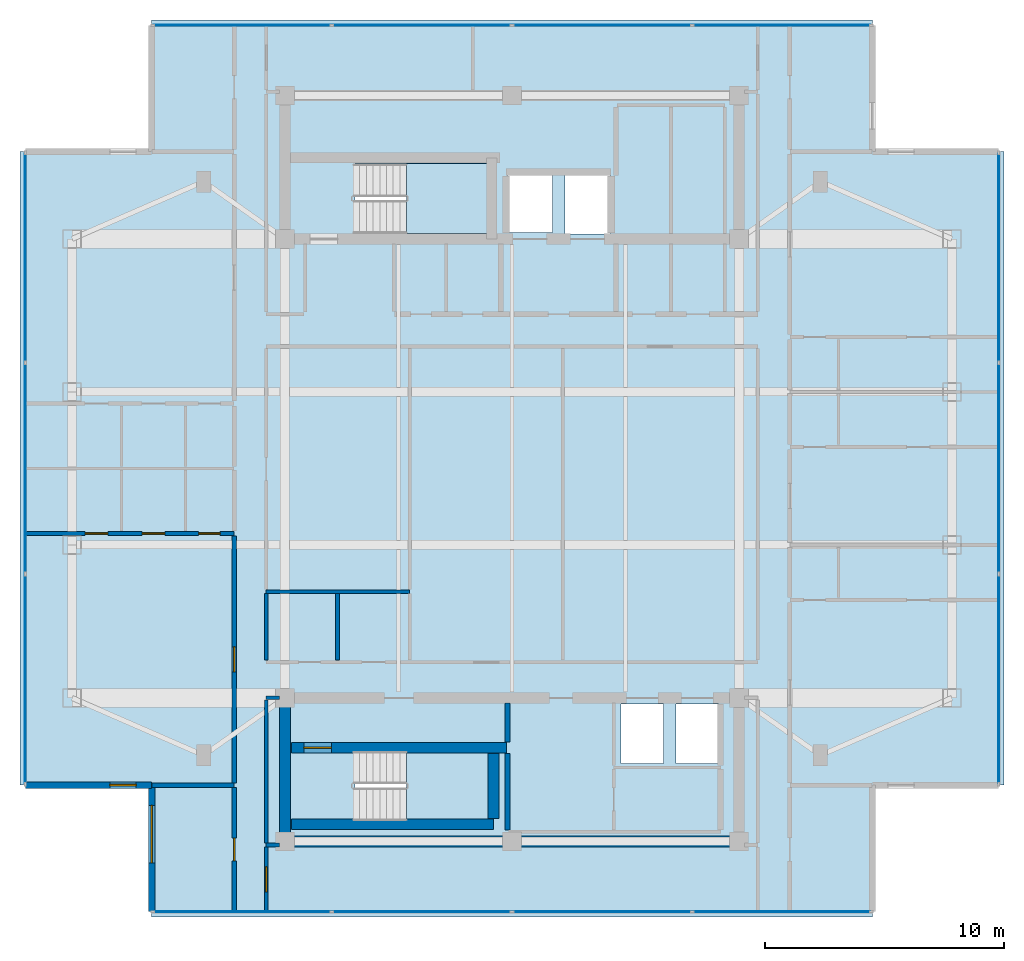
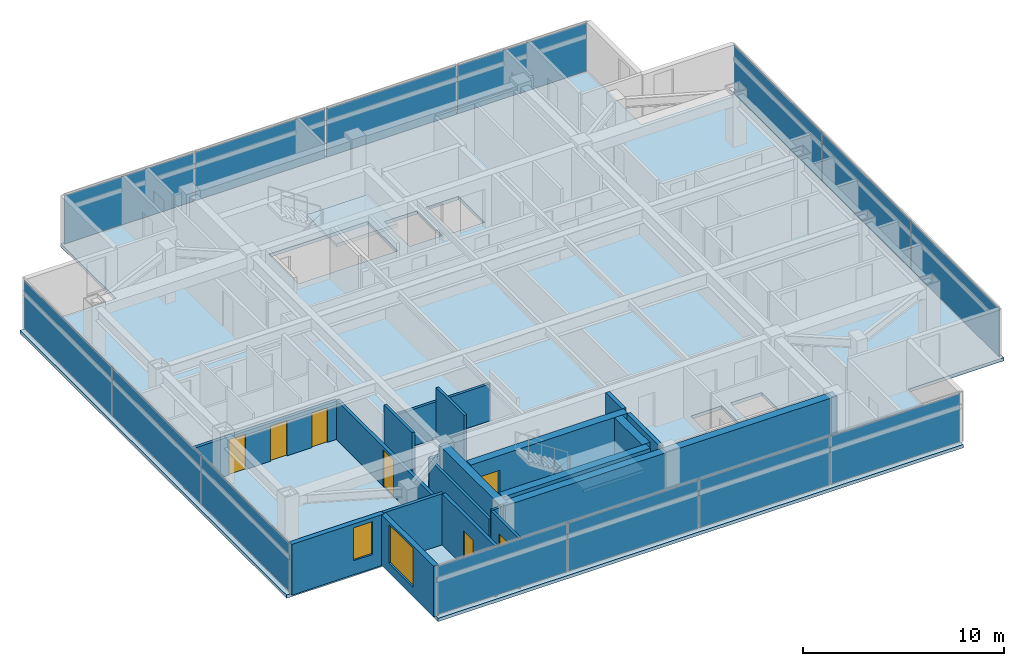
# One storey, part 6 of 12: 20 walls, 14 plates, 7 doors, 3 slabs, 2 windows, 9 openings, 6 elements without a shape of their own.
"""IFC4 building model written with IfcOpenShell, lengths in metres."""

from ifc_helpers import new_model, si_unit, direction, frame, frame_2d, origin, origin_2d, place, context, subcontext, project, spatial, polyline, rectangle, outline, extrude, material, layer, layer_set, type_object, element, fill, aggregate, save


model = new_model("IFC4")

# Units and contexts
model_context = context("Model", 3, precision=1e-05, world=origin(), true_north=direction((0.0, 1.0)))
body_context = subcontext(model_context, "Body", "Model", "MODEL_VIEW")
ifc_project = project(units=[si_unit("LENGTHUNIT", "METRE"), si_unit("AREAUNIT", "SQUARE_METRE"), si_unit("VOLUMEUNIT", "CUBIC_METRE"), si_unit("PLANEANGLEUNIT", "RADIAN"), si_unit("MASSUNIT", "GRAM", prefix="KILO")], contexts=[model_context])

# Site, building, storey
site_placement = place(None, origin())
site = spatial("IfcSite", under=ifc_project, at=site_placement, CompositionType="ELEMENT")
building_placement = place(site_placement, origin())
building = spatial("IfcBuilding", under=site, at=building_placement, Name="Mirazonda Arch Towers", CompositionType="ELEMENT")
storey_placement = place(building_placement, frame((0.0, 0.0, 222.699951171875)))
storey = spatial("IfcBuildingStorey", under=building, at=storey_placement, Name="L63", CompositionType="ELEMENT", Elevation=222.699951171875)

# Curtain wall, plates
ifc_material_1 = material(Name="Anodised Aluminium and Low-E Glass", Category="aluminium")
curtain_wall_type = type_object("IfcCurtainWallType", Name="CW-RES-UNIT", PredefinedType="NOTDEFINED", material=ifc_material_1)
curtain_wall_1_placement = place(storey_placement, origin())
curtain_wall_1 = element("IfcCurtainWall", 1, at=curtain_wall_1_placement, inside=storey, type_object=curtain_wall_type, Name="L63 T1 S Facade CW-L63-T1-S", PredefinedType="NOTDEFINED")
ifc_material_2 = material(Name="Insulated Low-E Solar Glass", Category="glass")
ifc_layer_1 = layer(ifc_material_2, 0.0400390625, Name="PAN-CW-RES-UNIT")
ifc_layer_set_1 = layer_set([ifc_layer_1], Name="Insulated Low-E Solar Glass")
plate_type = type_object("IfcPlateType", Name="PAN-CW-RES-UNIT", PredefinedType="CURTAIN_PANEL", material=ifc_layer_set_1)
plate_1_placement = place(storey_placement, frame((31.78369140625, 9.4619140625, 0.0751953125), z_axis=(0.0, 0.0, 1.0), x_axis=(-1.0, 0.0, 0.0)))
plate_1 = element("IfcPlate", 2, at=plate_1_placement, type_object=plate_type, Name="CW-104 panel 1.1", PredefinedType="CURTAIN_PANEL", context=body_context, shape_type="SweptSolid", body=[
    extrude(rectangle(XDim=7.422607421875, YDim=0.0400390625, at=origin_2d()), origin(), (0.0, 0.0, 1.0), 2.929931640625),
])
plate_2_placement = place(storey_placement, frame((24.267578125, 9.4619140625, 0.0751953125), z_axis=(0.0, 0.0, 1.0), x_axis=(-1.0, 0.0, 0.0)))
plate_2 = element("IfcPlate", 3, at=plate_2_placement, type_object=plate_type, Name="CW-104 panel 2.1", PredefinedType="CURTAIN_PANEL", context=body_context, shape_type="SweptSolid", body=[
    extrude(rectangle(XDim=7.4599609375, YDim=0.0400390625, at=origin_2d()), origin(), (0.0, 0.0, 1.0), 2.929931640625),
])
plate_3_placement = place(storey_placement, frame((16.732421875, 9.4619140625, 0.0751953125), z_axis=(0.0, 0.0, 1.0), x_axis=(-1.0, 0.0, 0.0)))
plate_3 = element("IfcPlate", 4, at=plate_3_placement, type_object=plate_type, Name="CW-104 panel 3.1", PredefinedType="CURTAIN_PANEL", context=body_context, shape_type="SweptSolid", body=[
    extrude(rectangle(XDim=7.4599609375, YDim=0.0400390625, at=origin_2d()), origin(), (0.0, 0.0, 1.0), 2.929931640625),
])
plate_4_placement = place(storey_placement, frame((9.21630859375, 9.4619140625, 0.0751953125), z_axis=(0.0, 0.0, 1.0), x_axis=(-1.0, 0.0, 0.0)))
plate_4 = element("IfcPlate", 5, at=plate_4_placement, type_object=plate_type, Name="CW-104 panel 4.1", PredefinedType="CURTAIN_PANEL", context=body_context, shape_type="SweptSolid", body=[
    extrude(rectangle(XDim=7.422607421875, YDim=0.0400390625, at=origin_2d()), origin(), (0.0, 0.0, 1.0), 2.929931640625),
])
aggregate(curtain_wall_1, [plate_1, plate_2, plate_3, plate_4])

curtain_wall_2_placement = place(storey_placement, origin())
curtain_wall_2 = element("IfcCurtainWall", 6, at=curtain_wall_2_placement, inside=storey, type_object=curtain_wall_type, Name="L63 T1 E Facade CW-L63-T1-E", PredefinedType="NOTDEFINED")
plate_5_placement = place(storey_placement, frame((40.860107421875, 19.186767578125, 0.0751953125), z_axis=(0.0, 0.0, 1.0), x_axis=(0.0, 1.0, 0.0)))
plate_5 = element("IfcPlate", 7, at=plate_5_placement, type_object=plate_type, Name="CW-104 panel 1.1", PredefinedType="CURTAIN_PANEL", context=body_context, shape_type="SweptSolid", body=[
    extrude(rectangle(XDim=8.719482421875, YDim=0.0400390625, at=origin_2d()), origin(), (0.0, 0.0, 1.0), 2.929931640625),
])
plate_6_placement = place(storey_placement, frame((40.860107421875, 28.0, 0.0751953125), z_axis=(0.0, 0.0, 1.0), x_axis=(0.0, 1.0, 0.0)))
plate_6 = element("IfcPlate", 8, at=plate_6_placement, type_object=plate_type, Name="CW-104 panel 2.1", PredefinedType="CURTAIN_PANEL", context=body_context, shape_type="SweptSolid", body=[
    extrude(rectangle(XDim=8.757080078125, YDim=0.0400390625, at=origin_2d()), origin(), (0.0, 0.0, 1.0), 2.929931640625),
])
plate_7_placement = place(storey_placement, frame((40.860107421875, 36.813232421875, 0.0751953125), z_axis=(0.0, 0.0, 1.0), x_axis=(0.0, 1.0, 0.0)))
plate_7 = element("IfcPlate", 9, at=plate_7_placement, type_object=plate_type, Name="CW-104 panel 3.1", PredefinedType="CURTAIN_PANEL", context=body_context, shape_type="SweptSolid", body=[
    extrude(rectangle(XDim=8.719482421875, YDim=0.0400390625, at=origin_2d()), origin(), (0.0, 0.0, 1.0), 2.929931640625),
])
aggregate(curtain_wall_2, [plate_5, plate_6, plate_7])

curtain_wall_3_placement = place(storey_placement, origin())
curtain_wall_3 = element("IfcCurtainWall", 10, at=curtain_wall_3_placement, inside=storey, type_object=curtain_wall_type, Name="L63 T1 N Facade CW-L63-T1-N", PredefinedType="NOTDEFINED")
plate_8_placement = place(storey_placement, frame((9.21630859375, 46.5380859375, 0.0751953125), z_axis=(0.0, 0.0, 1.0), x_axis=(1.0, 0.0, 0.0)))
plate_8 = element("IfcPlate", 11, at=plate_8_placement, type_object=plate_type, Name="CW-104 panel 1.1", PredefinedType="CURTAIN_PANEL", context=body_context, shape_type="SweptSolid", body=[
    extrude(rectangle(XDim=7.422607421875, YDim=0.0400390625, at=origin_2d()), origin(), (0.0, 0.0, 1.0), 2.929931640625),
])
plate_9_placement = place(storey_placement, frame((16.732421875, 46.5380859375, 0.0751953125), z_axis=(0.0, 0.0, 1.0), x_axis=(1.0, 0.0, 0.0)))
plate_9 = element("IfcPlate", 12, at=plate_9_placement, type_object=plate_type, Name="CW-104 panel 2.1", PredefinedType="CURTAIN_PANEL", context=body_context, shape_type="SweptSolid", body=[
    extrude(rectangle(XDim=7.4599609375, YDim=0.0400390625, at=origin_2d()), origin(), (0.0, 0.0, 1.0), 2.929931640625),
])
plate_10_placement = place(storey_placement, frame((24.267578125, 46.5380859375, 0.0751953125), z_axis=(0.0, 0.0, 1.0), x_axis=(1.0, 0.0, 0.0)))
plate_10 = element("IfcPlate", 13, at=plate_10_placement, type_object=plate_type, Name="CW-104 panel 3.1", PredefinedType="CURTAIN_PANEL", context=body_context, shape_type="SweptSolid", body=[
    extrude(rectangle(XDim=7.4599609375, YDim=0.0400390625, at=origin_2d()), origin(), (0.0, 0.0, 1.0), 2.929931640625),
])
plate_11_placement = place(storey_placement, frame((31.78369140625, 46.5380859375, 0.0751953125), z_axis=(0.0, 0.0, 1.0), x_axis=(1.0, 0.0, 0.0)))
plate_11 = element("IfcPlate", 14, at=plate_11_placement, type_object=plate_type, Name="CW-104 panel 4.1", PredefinedType="CURTAIN_PANEL", context=body_context, shape_type="SweptSolid", body=[
    extrude(rectangle(XDim=7.422607421875, YDim=0.0400390625, at=origin_2d()), origin(), (0.0, 0.0, 1.0), 2.929931640625),
])
aggregate(curtain_wall_3, [plate_8, plate_9, plate_10, plate_11])

curtain_wall_4_placement = place(storey_placement, origin())
curtain_wall_4 = element("IfcCurtainWall", 15, at=curtain_wall_4_placement, inside=storey, type_object=curtain_wall_type, Name="L63 T1 W Facade CW-L63-T1-W", PredefinedType="NOTDEFINED")
plate_12_placement = place(storey_placement, frame((0.139892578125, 36.813232421875, 0.0751953125), z_axis=(0.0, 0.0, 1.0), x_axis=(0.0, -1.0, 0.0)))
plate_12 = element("IfcPlate", 16, at=plate_12_placement, type_object=plate_type, Name="CW-104 panel 1.1", PredefinedType="CURTAIN_PANEL", context=body_context, shape_type="SweptSolid", body=[
    extrude(rectangle(XDim=8.719482421875, YDim=0.0400390625, at=origin_2d()), origin(), (0.0, 0.0, 1.0), 2.929931640625),
])
plate_13_placement = place(storey_placement, frame((0.139892578125, 28.0, 0.0751953125), z_axis=(0.0, 0.0, 1.0), x_axis=(0.0, -1.0, 0.0)))
plate_13 = element("IfcPlate", 17, at=plate_13_placement, type_object=plate_type, Name="CW-104 panel 2.1", PredefinedType="CURTAIN_PANEL", context=body_context, shape_type="SweptSolid", body=[
    extrude(rectangle(XDim=8.757080078125, YDim=0.0400390625, at=origin_2d()), origin(), (0.0, 0.0, 1.0), 2.929931640625),
])
plate_14_placement = place(storey_placement, frame((0.139892578125, 19.186767578125, 0.0751953125), z_axis=(0.0, 0.0, 1.0), x_axis=(0.0, -1.0, 0.0)))
plate_14 = element("IfcPlate", 18, at=plate_14_placement, type_object=plate_type, Name="CW-104 panel 3.1", PredefinedType="CURTAIN_PANEL", context=body_context, shape_type="SweptSolid", body=[
    extrude(rectangle(XDim=8.719482421875, YDim=0.0400390625, at=origin_2d()), origin(), (0.0, 0.0, 1.0), 2.929931640625),
])
aggregate(curtain_wall_4, [plate_12, plate_13, plate_14])

# Stair, slab
ifc_material_3 = material(Name="Concrete C40/50", Category="concrete")
stair_type = type_object("IfcStairType", Name="STAIR-CORE-1400", PredefinedType="HALF_TURN_STAIR", material=ifc_material_3)
stair_1_placement = place(storey_placement, origin())
stair_1 = element("IfcStair", 19, at=stair_1_placement, inside=storey, type_object=stair_type, Name="L63 Protected Exit Stair ST-T1N", PredefinedType="HALF_TURN_STAIR")
ifc_layer_2 = layer(ifc_material_3, 0.18994140625, Name="SLAB-LANDING-190")
ifc_layer_set_2 = layer_set([ifc_layer_2], Name="Concrete C40/50")
slab_type_1 = type_object("IfcSlabType", Name="SLAB-LANDING-190", PredefinedType="LANDING", material=ifc_layer_set_2)
slab_1_placement = place(storey_placement, frame((0.0, 0.0, 1.449951171875)))
slab_1 = element("IfcSlab", 20, at=slab_1_placement, type_object=slab_type_1, Name="ST-T1N landing 1", PredefinedType="LANDING", context=body_context, shape_type="SweptSolid", body=[
    extrude(outline(polyline([(16.090087890625, 37.820068359375), (19.60009765625, 37.820068359375), (19.60009765625, 40.760009765625), (16.090087890625, 40.760009765625), (16.090087890625, 37.820068359375)])), origin(), (0.0, 0.0, 1.0), 0.2001953125),
])
aggregate(stair_1, [slab_1])

stair_2_placement = place(storey_placement, origin())
stair_2 = element("IfcStair", 21, at=stair_2_placement, inside=storey, type_object=stair_type, Name="L63 Protected Exit Stair ST-T1S", PredefinedType="HALF_TURN_STAIR")
slab_2_placement = place(storey_placement, frame((0.0, 0.0, 1.449951171875)))
slab_2 = element("IfcSlab", 22, at=slab_2_placement, type_object=slab_type_1, Name="ST-T1S landing 1", PredefinedType="LANDING", context=body_context, shape_type="SweptSolid", body=[
    extrude(outline(polyline([(16.090087890625, 13.25), (19.60009765625, 13.25), (19.60009765625, 16.18994140625), (16.090087890625, 16.18994140625), (16.090087890625, 13.25)])), origin(), (0.0, 0.0, 1.0), 0.2001953125),
])
aggregate(stair_2, [slab_2])

# Slab
ifc_layer_3 = layer(ifc_material_3, 0.199951171875, Name="SLAB-TWR-200")
ifc_layer_set_3 = layer_set([ifc_layer_3], Name="Concrete C40/50")
slab_type_2 = type_object("IfcSlabType", Name="SLAB-TWR-200", PredefinedType="FLOOR", material=ifc_layer_set_3)
slab_3_placement = place(storey_placement, frame((0.0, 0.0, -0.199951171875)))
element("IfcSlab", 23, at=slab_3_placement, inside=storey, type_object=slab_type_2, Name="L63 Tower 1 Floor Slab", PredefinedType="FLOOR", context=body_context, shape_type="SweptSolid", body=[
    extrude(outline(polyline([(5.429931640625, 9.241943359375), (35.570068359375, 9.241943359375), (35.570068359375, 14.751953125), (41.080078125, 14.751953125), (41.080078125, 41.248046875), (35.570068359375, 41.248046875), (35.570068359375, 46.758056640625), (5.429931640625, 46.758056640625), (5.429931640625, 41.248046875), (-0.080078125, 41.248046875), (-0.080078125, 14.751953125), (5.429931640625, 14.751953125), (5.429931640625, 9.241943359375)]), holes=[polyline([(27.360107421875, 18.139892578125), (29.139892578125, 18.139892578125), (29.139892578125, 15.659912109375), (27.360107421875, 15.659912109375), (27.360107421875, 18.139892578125)]), polyline([(25.06005859375, 18.139892578125), (26.840087890625, 18.139892578125), (26.840087890625, 15.659912109375), (25.06005859375, 15.659912109375), (25.06005859375, 18.139892578125)]), polyline([(22.7099609375, 40.389892578125), (24.590087890625, 40.389892578125), (24.590087890625, 37.81005859375), (22.7099609375, 37.81005859375), (22.7099609375, 40.389892578125)]), polyline([(20.31005859375, 37.860107421875), (20.31005859375, 40.340087890625), (22.18994140625, 40.340087890625), (22.18994140625, 37.860107421875), (20.31005859375, 37.860107421875)]), polyline([(19.60009765625, 13.25), (13.925048828125, 13.25), (13.925048828125, 16.18994140625), (19.60009765625, 16.18994140625), (19.60009765625, 13.25)]), polyline([(13.925048828125, 37.820068359375), (13.925048828125, 40.760009765625), (19.60009765625, 40.760009765625), (19.60009765625, 37.820068359375), (13.925048828125, 37.820068359375)])]), origin(), (0.0, 0.0, 1.0), 0.199951171875),
])

# Walls
ifc_material_4 = material(Name="Concrete C50/60", Category="concrete")
ifc_layer_4 = layer(ifc_material_4, 0.449951171875, Name="WALL-CORE-450")
ifc_layer_set_4 = layer_set([ifc_layer_4], Name="Concrete C50/60")
wall_type_1 = type_object("IfcWallType", Name="WALL-CORE-450", PredefinedType="SHEAR", material=ifc_layer_set_4)
wall_1_placement = place(storey_placement, frame((11.0, 12.39990234375, 0.0), z_axis=(0.0, 0.0, 1.0), x_axis=(1.0, 0.0, 0.0)))
element("IfcWall", 24, at=wall_1_placement, inside=storey, type_object=wall_type_1, Name="L63 T1S-S Core Shear Wall", PredefinedType="SHEAR", context=body_context, shape_type="SweptSolid", body=[
    extrude(rectangle(XDim=19.0, YDim=0.449951171875, at=frame_2d((9.5, 0.0))), origin(), (0.0, 0.0, 1.0), 3.10009765625),
])
wall_2_placement = place(storey_placement, frame((11.0, 12.39990234375, 0.0), z_axis=(0.0, 0.0, 1.0), x_axis=(0.0, 1.0, 0.0)))
element("IfcWall", 25, at=wall_2_placement, inside=storey, type_object=wall_type_1, Name="L63 T1S-W Core Shear Wall", PredefinedType="SHEAR", context=body_context, shape_type="SweptSolid", body=[
    extrude(rectangle(XDim=6.0, YDim=0.449951171875, at=frame_2d((3.0, 0.0))), origin(), (0.0, 0.0, 1.0), 3.10009765625),
])
wall_3_placement = place(storey_placement, frame((11.27001953125, 13.1201171875, 0.0), z_axis=(0.0, 0.0, 1.0), x_axis=(1.0, 0.0, 0.0)))
element("IfcWall", 26, at=wall_3_placement, inside=storey, type_object=wall_type_1, Name="L63 Stair Core Shear Wall 004", PredefinedType="SHEAR", context=body_context, shape_type="SweptSolid", body=[
    extrude(rectangle(XDim=8.4599609375, YDim=0.449951171875, at=frame_2d((4.22998046875, 0.0))), origin(), (0.0, 0.0, 1.0), 3.10009765625),
])

# Wall, opening, door
wall_4_placement = place(storey_placement, frame((11.27001953125, 16.320068359375, 0.0), z_axis=(0.0, 0.0, 1.0), x_axis=(1.0, 0.0, 0.0)))
wall_4 = element("IfcWall", 27, at=wall_4_placement, inside=storey, type_object=wall_type_1, Name="L63 Stair Core Shear Wall 008", PredefinedType="SHEAR", context=body_context, shape_type="SweptSolid", body=[
    extrude(rectangle(XDim=9.010009765625, YDim=0.449951171875, at=frame_2d((4.5048828125, 0.0))), origin(), (0.0, 0.0, 1.0), 3.10009765625),
])
opening_1_placement = place(wall_4_placement, frame((0.52001953125, 0.0, 0.0)))
opening_1 = element("IfcOpeningElement", 28, at=opening_1_placement, cuts=wall_4, Name="Opening DR-135", PredefinedType="OPENING", context=body_context, shape_type="SweptSolid", body=[
    extrude(rectangle(XDim=1.14990234375, YDim=2.199951171875, at=frame_2d((0.574951171875, 1.10009765625))), frame((0.0, 0.23486328125, 0.0), z_axis=(0.0, -1.0, 0.0), x_axis=(1.0, 0.0, 0.0)), (0.0, 0.0, 1.0), 0.469970703125),
])
ifc_material_5 = material(Name="Architectural Brushed Steel S355", Category="steel")
door_type_1 = type_object("IfcDoorType", Name="DOOR-STAIR-FD90-1150", OperationType="NOTDEFINED", PredefinedType="DOOR", material=ifc_material_5)
door_1_placement = place(opening_1_placement, origin())
door_1 = element("IfcDoor", 29, at=door_1_placement, inside=storey, type_object=door_type_1, Name="L63 Protected Exit Stair South Door", OperationType="SINGLE_SWING_RIGHT", OverallHeight=2.199951171875, OverallWidth=1.14990234375, PredefinedType="DOOR", context=body_context, shape_type="SweptSolid", body=[
    extrude(rectangle(XDim=1.14990234375, YDim=2.199951171875, at=frame_2d((0.574951171875, 1.10009765625))), frame((0.0, 0.02490234375, 0.0), z_axis=(0.0, -1.0, 0.0), x_axis=(1.0, 0.0, 0.0)), (0.0, 0.0, 1.0), 0.050048828125),
])
fill(opening_1, door_1)

# Wall
wall_5_placement = place(storey_placement, frame((19.72998046875, 13.35498046875, 0.0), z_axis=(0.0, 0.0, 1.0), x_axis=(0.0, 1.0, 0.0)))
element("IfcWall", 30, at=wall_5_placement, inside=storey, type_object=wall_type_1, Name="L63 Stair Core Shear Wall 053", PredefinedType="SHEAR", context=body_context, shape_type="SweptSolid", body=[
    extrude(rectangle(XDim=2.72998046875, YDim=0.449951171875, at=frame_2d((1.364990234375, 0.0))), origin(), (0.0, 0.0, 1.0), 3.10009765625),
])

# Wall, opening, window
ifc_material_6 = material(Name="Precast Concrete C40/50", Category="concrete")
ifc_layer_5 = layer(ifc_material_6, 0.280029296875, Name="WALL-EXT-WALL-280")
ifc_layer_set_5 = layer_set([ifc_layer_5], Name="Precast Concrete C40/50")
wall_type_2 = type_object("IfcWallType", Name="WALL-EXT-WALL-280", PredefinedType="SOLIDWALL", material=ifc_layer_set_5)
wall_6_placement = place(storey_placement, frame((5.429931640625, 14.751953125, 0.0), z_axis=(0.0, 0.0, 1.0), x_axis=(0.0, -1.0, 0.0)))
wall_6 = element("IfcWall", 31, at=wall_6_placement, inside=storey, type_object=wall_type_2, Name="L63 T1 Notched SW Corner Wall WL-L63-T1-CSW", PredefinedType="SOLIDWALL", context=body_context, shape_type="SweptSolid", body=[
    extrude(rectangle(XDim=5.2900390625, YDim=0.280029296875, at=frame_2d((2.64501953125, 0.0))), origin(), (0.0, 0.0, 1.0), 3.080078125),
])
opening_2_placement = place(wall_6_placement, frame((0.85009765625, 0.0, 0.580078125)))
opening_2 = element("IfcOpeningElement", 32, at=opening_2_placement, cuts=wall_6, Name="Opening WN-121", PredefinedType="OPENING", context=body_context, shape_type="SweptSolid", body=[
    extrude(rectangle(XDim=2.39990234375, YDim=2.35009765625, at=frame_2d((1.199951171875, 1.175048828125))), frame((0.0, 0.14990234375, 0.0), z_axis=(0.0, -1.0, 0.0), x_axis=(1.0, 0.0, 0.0)), (0.0, 0.0, 1.0), 0.300048828125),
])
window_type_1 = type_object("IfcWindowType", Name="WIN-PENT-2400x2350", PartitioningType="SINGLE_PANEL", PredefinedType="WINDOW", material=ifc_material_2)
window_1_placement = place(opening_2_placement, origin())
window_1 = element("IfcWindow", 33, at=window_1_placement, inside=storey, type_object=window_type_1, Name="L63 Punched Facade Window WN-L63-T1-CSW", OverallHeight=2.35009765625, OverallWidth=2.39990234375, PartitioningType="SINGLE_PANEL", PredefinedType="WINDOW", context=body_context, shape_type="SweptSolid", body=[
    extrude(rectangle(XDim=2.39990234375, YDim=2.35009765625, at=frame_2d((1.199951171875, 1.175048828125))), frame((0.0, 0.030029296875, 0.0), z_axis=(0.0, -1.0, 0.0), x_axis=(1.0, 0.0, 0.0)), (0.0, 0.0, 1.0), 0.06005859375),
])
fill(opening_2, window_1)

wall_7_placement = place(storey_placement, frame((0.139892578125, 14.751953125, 0.0), z_axis=(0.0, 0.0, 1.0), x_axis=(1.0, 0.0, 0.0)))
wall_7 = element("IfcWall", 34, at=wall_7_placement, inside=storey, type_object=wall_type_2, Name="L63 T1 Corner Notch Return Wall WL-L63-T1-CSW2", PredefinedType="SOLIDWALL", context=body_context, shape_type="SweptSolid", body=[
    extrude(rectangle(XDim=5.2900390625, YDim=0.280029296875, at=frame_2d((2.64501953125, 0.0))), origin(), (0.0, 0.0, 1.0), 3.080078125),
])
opening_3_placement = place(wall_7_placement, frame((3.5400390625, 0.0, 0.85009765625)))
opening_3 = element("IfcOpeningElement", 35, at=opening_3_placement, cuts=wall_7, Name="Opening WN-108", PredefinedType="OPENING", context=body_context, shape_type="SweptSolid", body=[
    extrude(rectangle(XDim=1.10009765625, YDim=2.0, at=frame_2d((0.550048828125, 1.0))), frame((0.0, 0.14990234375, 0.0), z_axis=(0.0, -1.0, 0.0), x_axis=(1.0, 0.0, 0.0)), (0.0, 0.0, 1.0), 0.300048828125),
])
window_type_2 = type_object("IfcWindowType", Name="WIN-NOTCH-1100x2000", PartitioningType="SINGLE_PANEL", PredefinedType="WINDOW", material=ifc_material_2)
window_2_placement = place(opening_3_placement, origin())
window_2 = element("IfcWindow", 36, at=window_2_placement, inside=storey, type_object=window_type_2, Name="L63 Punched Facade Window WN-L63-T1-CSW2", OverallHeight=2.0, OverallWidth=1.10009765625, PartitioningType="SINGLE_PANEL", PredefinedType="WINDOW", context=body_context, shape_type="SweptSolid", body=[
    extrude(rectangle(XDim=1.10009765625, YDim=2.0, at=frame_2d((0.550048828125, 1.0))), frame((0.0, 0.030029296875, 0.0), z_axis=(0.0, -1.0, 0.0), x_axis=(1.0, 0.0, 0.0)), (0.0, 0.0, 1.0), 0.06005859375),
])
fill(opening_3, window_2)

# Walls
ifc_layer_6 = layer(ifc_material_3, 0.219970703125, Name="WALL-FFL-220")
ifc_layer_set_6 = layer_set([ifc_layer_6], Name="Concrete C40/50")
wall_type_3 = type_object("IfcWallType", Name="WALL-FFL-220", PredefinedType="SOLIDWALL", material=ifc_layer_set_6)
wall_8_placement = place(storey_placement, frame((20.31494140625, 12.885009765625, 0.0), z_axis=(0.0, 0.0, 1.0), x_axis=(0.0, 1.0, 0.0)))
element("IfcWall", 37, at=wall_8_placement, inside=storey, type_object=wall_type_3, Name="L63 Interior Partition 055", PredefinedType="SOLIDWALL", context=body_context, shape_type="SweptSolid", body=[
    extrude(rectangle(XDim=3.199951171875, YDim=0.219970703125, at=frame_2d((1.60009765625, 0.0))), origin(), (0.0, 0.0, 1.0), 3.10009765625),
])
wall_9_placement = place(storey_placement, frame((20.31494140625, 16.554931640625, 0.0), z_axis=(0.0, 0.0, 1.0), x_axis=(0.0, 1.0, 0.0)))
element("IfcWall", 38, at=wall_9_placement, inside=storey, type_object=wall_type_3, Name="L63 Interior Partition 056", PredefinedType="SOLIDWALL", context=body_context, shape_type="SweptSolid", body=[
    extrude(rectangle(XDim=1.625, YDim=0.219970703125, at=frame_2d((0.8125, 0.0))), origin(), (0.0, 0.0, 1.0), 3.10009765625),
])
ifc_material_7 = material(Name="Fire-Rated Gypsum Stud Partition")
ifc_layer_7 = layer(ifc_material_7, 0.14990234375, Name="WALL-PART-CORR-150")
ifc_layer_set_7 = layer_set([ifc_layer_7], Name="Fire-Rated Gypsum Stud Partition")
wall_type_4 = type_object("IfcWallType", Name="WALL-PART-CORR-150", PredefinedType="PARTITIONING", material=ifc_layer_set_7)
wall_10_placement = place(storey_placement, frame((10.219970703125, 12.25, 0.0), z_axis=(0.0, 0.0, 1.0), x_axis=(1.0, 0.0, 0.0)))
element("IfcWall", 39, at=wall_10_placement, inside=storey, type_object=wall_type_4, Name="L63 Interior Partition 001", PredefinedType="PARTITIONING", context=body_context, shape_type="SweptSolid", body=[
    extrude(rectangle(XDim=0.56005859375, YDim=0.14990234375, at=frame_2d((0.280029296875, 0.0))), origin(), (0.0, 0.0, 1.0), 3.10009765625),
])
wall_11_placement = place(storey_placement, frame((10.219970703125, 18.39990234375, 0.0), z_axis=(0.0, 0.0, 1.0), x_axis=(1.0, 0.0, 0.0)))
element("IfcWall", 40, at=wall_11_placement, inside=storey, type_object=wall_type_4, Name="L63 Interior Partition 009", PredefinedType="PARTITIONING", context=body_context, shape_type="SweptSolid", body=[
    extrude(rectangle(XDim=0.56005859375, YDim=0.14990234375, at=frame_2d((0.280029296875, 0.0))), origin(), (0.0, 0.0, 1.0), 2.491943359375),
])
wall_12_placement = place(storey_placement, frame((10.219970703125, 22.85009765625, 0.0), z_axis=(0.0, 0.0, 1.0), x_axis=(1.0, 0.0, 0.0)))
element("IfcWall", 41, at=wall_12_placement, inside=storey, type_object=wall_type_4, Name="L63 Interior Partition 013", PredefinedType="PARTITIONING", context=body_context, shape_type="SweptSolid", body=[
    extrude(rectangle(XDim=6.0, YDim=0.14990234375, at=frame_2d((3.0, 0.0))), origin(), (0.0, 0.0, 1.0), 2.236083984375),
])

# Wall, opening, door
wall_13_placement = place(storey_placement, frame((10.219970703125, 9.4619140625, 0.0), z_axis=(0.0, 0.0, 1.0), x_axis=(0.0, 1.0, 0.0)))
wall_13 = element("IfcWall", 42, at=wall_13_placement, inside=storey, type_object=wall_type_4, Name="L63 Interior Partition 040", PredefinedType="PARTITIONING", context=body_context, shape_type="SweptSolid", body=[
    extrude(rectangle(XDim=2.703125, YDim=0.14990234375, at=frame_2d((1.3515625, 0.0))), origin(), (0.0, 0.0, 1.0), 3.10009765625),
])
opening_4_placement = place(wall_13_placement, frame((0.826416015625, 0.0, 0.0)))
opening_4 = element("IfcOpeningElement", 43, at=opening_4_placement, cuts=wall_13, Name="Opening DR-121", PredefinedType="OPENING", context=body_context, shape_type="SweptSolid", body=[
    extrude(rectangle(XDim=1.050048828125, YDim=2.199951171875, at=frame_2d((0.52490234375, 1.10009765625))), frame((0.0, 0.0849609375, 0.0), z_axis=(0.0, -1.0, 0.0), x_axis=(1.0, 0.0, 0.0)), (0.0, 0.0, 1.0), 0.169921875),
])
door_type_2 = type_object("IfcDoorType", Name="DOOR-SUITE-FD60-1050", OperationType="NOTDEFINED", PredefinedType="DOOR", material=ifc_material_5)
door_2_placement = place(opening_4_placement, origin())
door_2 = element("IfcDoor", 44, at=door_2_placement, inside=storey, type_object=door_type_2, Name="L63 South Panoramic Study Gallery Door", OperationType="SINGLE_SWING_LEFT", OverallHeight=2.199951171875, OverallWidth=1.050048828125, PredefinedType="DOOR", context=body_context, shape_type="SweptSolid", body=[
    extrude(rectangle(XDim=1.050048828125, YDim=2.199951171875, at=frame_2d((0.52490234375, 1.10009765625))), frame((0.0, 0.02490234375, 0.0), z_axis=(0.0, -1.0, 0.0), x_axis=(1.0, 0.0, 0.0)), (0.0, 0.0, 1.0), 0.050048828125),
])
fill(opening_4, door_2)

# Walls
wall_14_placement = place(storey_placement, frame((10.219970703125, 12.3349609375, 0.0), z_axis=(0.0, 0.0, 1.0), x_axis=(0.0, 1.0, 0.0)))
element("IfcWall", 45, at=wall_14_placement, inside=storey, type_object=wall_type_4, Name="L63 Interior Partition 041", PredefinedType="PARTITIONING", context=body_context, shape_type="SweptSolid", body=[
    extrude(rectangle(XDim=5.97998046875, YDim=0.14990234375, at=frame_2d((2.989990234375, 0.0))), origin(), (0.0, 0.0, 1.0), 2.491943359375),
])
for number, where, z_axis, x_axis, name in (
    (46, (10.219970703125, 19.985107421875, 0.0), (0.0, 0.0, 1.0), (0.0, 1.0, 0.0), "L63 Interior Partition 042"),
    (47, (13.199951171875, 19.985107421875, 0.0), (0.0, 0.0, 1.0), (0.0, 1.0, 0.0), "L63 Interior Partition 047"),
):
    element("IfcWall", number, at=place(storey_placement, frame(where, z_axis=z_axis, x_axis=x_axis)), inside=storey, type_object=wall_type_4, Name=name, PredefinedType="PARTITIONING", context=body_context, shape_type="SweptSolid", body=[
        extrude(rectangle(XDim=2.77978515625, YDim=0.14990234375, at=frame_2d((1.389892578125, 0.0))), origin(), (0.0, 0.0, 1.0), 3.10009765625),
    ])
ifc_material_8 = material(Name="Fire-Rated Gypsum Twin-Stud Assembly")
ifc_layer_8 = layer(ifc_material_8, 0.179931640625, Name="WALL-PART-DEMISE-180")
ifc_layer_set_8 = layer_set([ifc_layer_8], Name="Fire-Rated Gypsum Twin-Stud Assembly")
wall_type_5 = type_object("IfcWallType", Name="WALL-PART-DEMISE-180", PredefinedType="PARTITIONING", material=ifc_layer_set_8)
wall_15_placement = place(storey_placement, frame((5.449951171875, 14.751953125, 0.0), z_axis=(0.0, 0.0, 1.0), x_axis=(1.0, 0.0, 0.0)))
element("IfcWall", 48, at=wall_15_placement, inside=storey, type_object=wall_type_5, Name="L63 Interior Partition 005", PredefinedType="PARTITIONING", context=body_context, shape_type="SweptSolid", body=[
    extrude(rectangle(XDim=3.429931640625, YDim=0.179931640625, at=frame_2d((1.71484375, 0.0))), origin(), (0.0, 0.0, 1.0), 3.10009765625),
])

# Wall, openings, doors
wall_16_placement = place(storey_placement, frame((0.139892578125, 25.280029296875, 0.0), z_axis=(0.0, 0.0, 1.0), x_axis=(1.0, 0.0, 0.0)))
wall_16 = element("IfcWall", 49, at=wall_16_placement, inside=storey, type_object=wall_type_5, Name="L63 Interior Partition 015", PredefinedType="PARTITIONING", context=body_context, shape_type="SweptSolid", body=[
    extrude(rectangle(XDim=8.739990234375, YDim=0.179931640625, at=frame_2d((4.3701171875, 0.0))), origin(), (0.0, 0.0, 1.0), 2.319091796875),
])
opening_5_placement = place(wall_16_placement, frame((2.5048828125, 0.0, 0.0)))
opening_5 = element("IfcOpeningElement", 50, at=opening_5_placement, cuts=wall_16, Name="Opening DR-104", PredefinedType="OPENING", context=body_context, shape_type="SweptSolid", body=[
    extrude(rectangle(XDim=0.949951171875, YDim=2.14990234375, at=frame_2d((0.47509765625, 1.074951171875))), frame((0.0, 0.099853515625, 0.0), z_axis=(0.0, -1.0, 0.0), x_axis=(1.0, 0.0, 0.0)), (0.0, 0.0, 1.0), 0.199951171875),
])
opening_6_placement = place(wall_16_placement, frame((4.885009765625, 0.0, 0.0)))
opening_6 = element("IfcOpeningElement", 51, at=opening_6_placement, cuts=wall_16, Name="Opening DR-104", PredefinedType="OPENING", context=body_context, shape_type="SweptSolid", body=[
    extrude(rectangle(XDim=0.949951171875, YDim=2.14990234375, at=frame_2d((0.47509765625, 1.074951171875))), frame((0.0, 0.099853515625, 0.0), z_axis=(0.0, -1.0, 0.0), x_axis=(1.0, 0.0, 0.0)), (0.0, 0.0, 1.0), 0.199951171875),
])
opening_7_placement = place(wall_16_placement, frame((7.25, 0.0, 0.0)))
opening_7 = element("IfcOpeningElement", 52, at=opening_7_placement, cuts=wall_16, Name="Opening DR-120", PredefinedType="OPENING", context=body_context, shape_type="SweptSolid", body=[
    extrude(rectangle(XDim=0.89990234375, YDim=2.10009765625, at=frame_2d((0.449951171875, 1.050048828125))), frame((0.0, 0.099853515625, 0.0), z_axis=(0.0, -1.0, 0.0), x_axis=(1.0, 0.0, 0.0)), (0.0, 0.0, 1.0), 0.199951171875),
])
door_type_3 = type_object("IfcDoorType", Name="DOOR-ROOM-950", OperationType="NOTDEFINED", PredefinedType="DOOR", material=ifc_material_5)
door_3_placement = place(opening_5_placement, origin())
door_3 = element("IfcDoor", 53, at=door_3_placement, inside=storey, type_object=door_type_3, Name="L63 Residence 1 Principal Bedroom Door", OperationType="SINGLE_SWING_LEFT", OverallHeight=2.14990234375, OverallWidth=0.949951171875, PredefinedType="DOOR", context=body_context, shape_type="SweptSolid", body=[
    extrude(rectangle(XDim=0.949951171875, YDim=2.14990234375, at=frame_2d((0.47509765625, 1.074951171875))), frame((0.0, 0.02490234375, 0.0), z_axis=(0.0, -1.0, 0.0), x_axis=(1.0, 0.0, 0.0)), (0.0, 0.0, 1.0), 0.050048828125),
])
fill(opening_5, door_3)
door_4_placement = place(opening_6_placement, origin())
door_4 = element("IfcDoor", 54, at=door_4_placement, inside=storey, type_object=door_type_3, Name="L63 Residence 1 Fitted Kitchen Door", OperationType="SINGLE_SWING_RIGHT", OverallHeight=2.14990234375, OverallWidth=0.949951171875, PredefinedType="DOOR", context=body_context, shape_type="SweptSolid", body=[
    extrude(rectangle(XDim=0.949951171875, YDim=2.14990234375, at=frame_2d((0.47509765625, 1.074951171875))), frame((0.0, 0.02490234375, 0.0), z_axis=(0.0, -1.0, 0.0), x_axis=(1.0, 0.0, 0.0)), (0.0, 0.0, 1.0), 0.050048828125),
])
fill(opening_6, door_4)
door_type_4 = type_object("IfcDoorType", Name="DOOR-WC-900", OperationType="NOTDEFINED", PredefinedType="DOOR", material=ifc_material_5)
door_5_placement = place(opening_7_placement, origin())
door_5 = element("IfcDoor", 55, at=door_5_placement, inside=storey, type_object=door_type_4, Name="L63 Residence 1 Bathroom Door", OperationType="SINGLE_SWING_LEFT", OverallHeight=2.10009765625, OverallWidth=0.89990234375, PredefinedType="DOOR", context=body_context, shape_type="SweptSolid", body=[
    extrude(rectangle(XDim=0.89990234375, YDim=2.10009765625, at=frame_2d((0.449951171875, 1.050048828125))), frame((0.0, 0.02490234375, 0.0), z_axis=(0.0, -1.0, 0.0), x_axis=(1.0, 0.0, 0.0)), (0.0, 0.0, 1.0), 0.050048828125),
])
fill(opening_7, door_5)

# Wall, opening, door
wall_17_placement = place(storey_placement, frame((8.8798828125, 9.4619140625, 0.0), z_axis=(0.0, 0.0, 1.0), x_axis=(0.0, 1.0, 0.0)))
wall_17 = element("IfcWall", 56, at=wall_17_placement, inside=storey, type_object=wall_type_5, Name="L63 Interior Partition 034", PredefinedType="PARTITIONING", context=body_context, shape_type="SweptSolid", body=[
    extrude(rectangle(XDim=5.190185546875, YDim=0.179931640625, at=frame_2d((2.59521484375, 0.0))), origin(), (0.0, 0.0, 1.0), 3.10009765625),
])
opening_8_placement = place(wall_17_placement, frame((2.1201171875, 0.0, 0.0)))
opening_8 = element("IfcOpeningElement", 57, at=opening_8_placement, cuts=wall_17, Name="Opening DR-104", PredefinedType="OPENING", context=body_context, shape_type="SweptSolid", body=[
    extrude(rectangle(XDim=0.949951171875, YDim=2.14990234375, at=frame_2d((0.47509765625, 1.074951171875))), frame((0.0, 0.099853515625, 0.0), z_axis=(0.0, -1.0, 0.0), x_axis=(1.0, 0.0, 0.0)), (0.0, 0.0, 1.0), 0.199951171875),
])
door_6_placement = place(opening_8_placement, origin())
door_6 = element("IfcDoor", 58, at=door_6_placement, inside=storey, type_object=door_type_3, Name="L63 South Panoramic Study Alcove West Door", OperationType="SINGLE_SWING_RIGHT", OverallHeight=2.14990234375, OverallWidth=0.949951171875, PredefinedType="DOOR", context=body_context, shape_type="SweptSolid", body=[
    extrude(rectangle(XDim=0.949951171875, YDim=2.14990234375, at=frame_2d((0.47509765625, 1.074951171875))), frame((0.0, 0.02490234375, 0.0), z_axis=(0.0, -1.0, 0.0), x_axis=(1.0, 0.0, 0.0)), (0.0, 0.0, 1.0), 0.050048828125),
])
fill(opening_8, door_6)

wall_18_placement = place(storey_placement, frame((8.8798828125, 14.85205078125, 0.0), z_axis=(0.0, 0.0, 1.0), x_axis=(0.0, 1.0, 0.0)))
wall_18 = element("IfcWall", 59, at=wall_18_placement, inside=storey, type_object=wall_type_5, Name="L63 Interior Partition 035", PredefinedType="PARTITIONING", context=body_context, shape_type="SweptSolid", body=[
    extrude(rectangle(XDim=10.327880859375, YDim=0.179931640625, at=frame_2d((5.1640625, 0.0))), origin(), (0.0, 0.0, 1.0), 2.39599609375),
])
opening_9_placement = place(wall_18_placement, frame((4.638916015625, 0.0, 0.0)))
opening_9 = element("IfcOpeningElement", 60, at=opening_9_placement, cuts=wall_18, Name="Opening DR-121", PredefinedType="OPENING", context=body_context, shape_type="SweptSolid", body=[
    extrude(rectangle(XDim=1.050048828125, YDim=2.199951171875, at=frame_2d((0.52490234375, 1.10009765625))), frame((0.0, 0.099853515625, 0.0), z_axis=(0.0, -1.0, 0.0), x_axis=(1.0, 0.0, 0.0)), (0.0, 0.0, 1.0), 0.199951171875),
])
door_7_placement = place(opening_9_placement, origin())
door_7 = element("IfcDoor", 61, at=door_7_placement, inside=storey, type_object=door_type_2, Name="L63 Penthouse Residence 1 Living & Dining Salon Door", OperationType="SINGLE_SWING_RIGHT", OverallHeight=2.199951171875, OverallWidth=1.050048828125, PredefinedType="DOOR", context=body_context, shape_type="SweptSolid", body=[
    extrude(rectangle(XDim=1.050048828125, YDim=2.199951171875, at=frame_2d((0.52490234375, 1.10009765625))), frame((0.0, 0.02490234375, 0.0), z_axis=(0.0, -1.0, 0.0), x_axis=(1.0, 0.0, 0.0)), (0.0, 0.0, 1.0), 0.050048828125),
])
fill(opening_9, door_7)

save(model, "model.ifc")
